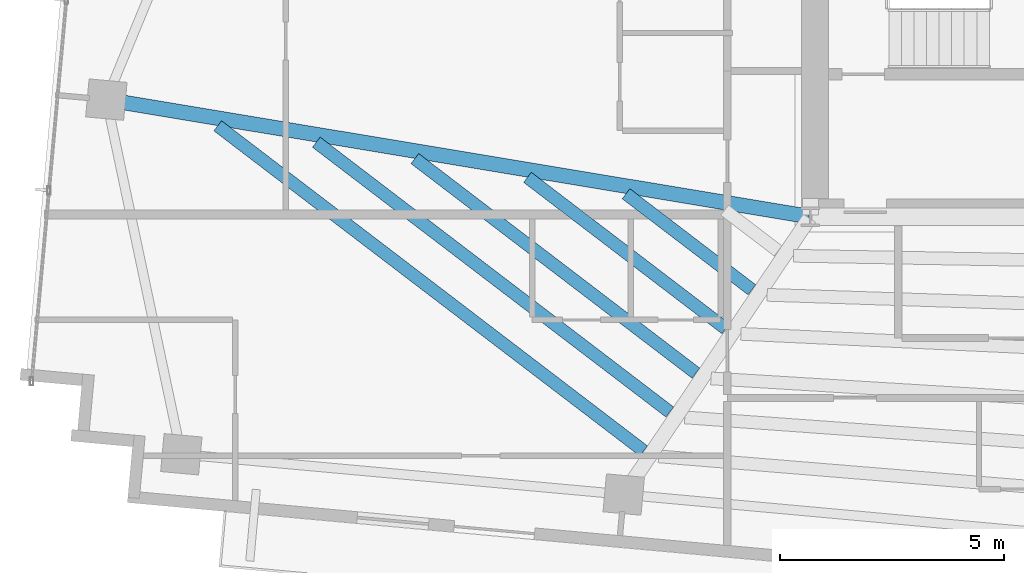
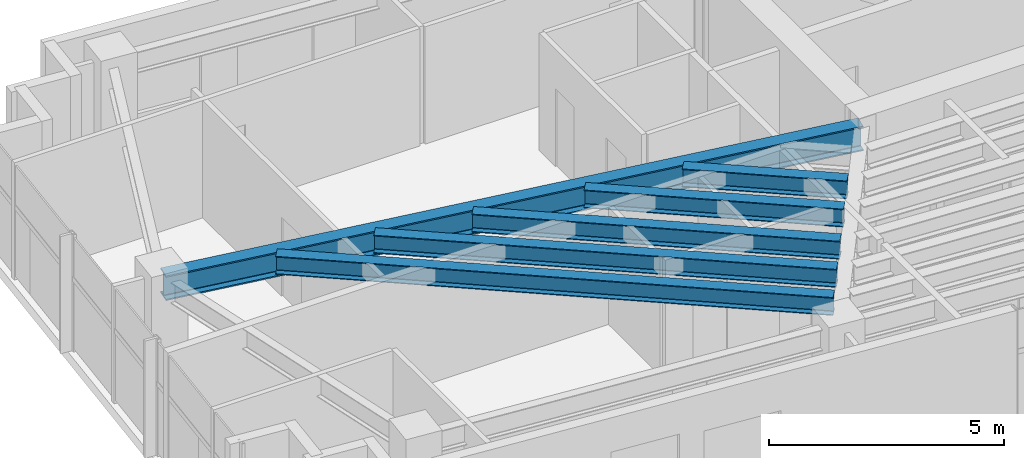
# One storey, part 5 of 22: 6 beams.
"""IFC4 building model written with IfcOpenShell, lengths in metres."""

from ifc_helpers import new_model, si_unit, direction, frame, origin, origin_2d, place, context, subcontext, project, spatial, i_section, extrude, source, transform, mapped, material, material_profile, profile_set, type_object, type_shapes, element, save


model = new_model("IFC4")

# Units and contexts
model_context = context("Model", 3, precision=1e-05, world=origin(), true_north=direction((0.0, 1.0)))
body_context = subcontext(model_context, "Body", "Model", "MODEL_VIEW")
ifc_project = project(units=[si_unit("LENGTHUNIT", "METRE"), si_unit("AREAUNIT", "SQUARE_METRE"), si_unit("VOLUMEUNIT", "CUBIC_METRE"), si_unit("PLANEANGLEUNIT", "RADIAN"), si_unit("MASSUNIT", "GRAM", prefix="KILO")], contexts=[model_context])

# Site, building, storey
site_placement = place(None, origin())
site = spatial("IfcSite", under=ifc_project, at=site_placement, CompositionType="ELEMENT")
building_placement = place(site_placement, origin())
building = spatial("IfcBuilding", under=site, at=building_placement, Name="Astriad Promenade Condominiums", CompositionType="ELEMENT")
storey_placement = place(building_placement, frame((0.0, 0.0, 229.800048828125)))
storey = spatial("IfcBuildingStorey", under=building, at=storey_placement, Name="L66", CompositionType="ELEMENT", Elevation=229.800048828125)

# Beams
ifc_material = material(Name="Steel ASTM A992 Grade 50", Category="steel")
ifc_material_profile_1 = material_profile(ifc_material, i_section(OverallWidth=0.327392578125, OverallDepth=0.640625, WebThickness=0.01904296875, FlangeThickness=0.033935546875, FilletRadius=0.017822265625, at=origin_2d()), Name="W24X176")
ifc_profile_set_1 = profile_set([ifc_material_profile_1], Name="Steel ASTM A992 Grade 50")
beam_type_1 = type_object("IfcBeamType", Name="STEEL FLOOR GIRDER W24X176", PredefinedType="BEAM", material=ifc_profile_set_1)
shared_shape_1 = source(origin(), body_context, "Body", "SweptSolid", [
    extrude(i_section(OverallWidth=0.327392578125, OverallDepth=0.640625, WebThickness=0.01904296875, FlangeThickness=0.033935546875, FilletRadius=0.017822265625, at=origin_2d()), origin(), (0.0, 0.0, 1.0), 15.824462890625),
])
type_shapes(beam_type_1, [shared_shape_1])
beam_1_placement = place(storey_placement, frame((10.750732421875, 20.003662109375, 2.7197265625), z_axis=(0.986439752668, -0.164123777548, 0.0), x_axis=(0.164123777548, 0.986439752668, 0.0)))
element("IfcBeam", 1, at=beam_1_placement, inside=storey, type_object=beam_type_1, Name="Primary Floor Girder PG-WM-L66", PredefinedType="BEAM", context=body_context, shape_type="MappedRepresentation", body=[
    mapped(shared_shape_1, transform((0.0, 0.0, 0.0), scale=1.0)),
])
ifc_material_profile_2 = material_profile(ifc_material, i_section(OverallWidth=0.283203125, OverallDepth=0.47216796875, WebThickness=0.013671875, FlangeThickness=0.022216796875, FilletRadius=0.01513671875, at=origin_2d()), Name="W18X97")
ifc_profile_set_2 = profile_set([ifc_material_profile_2], Name="Steel ASTM A992 Grade 50")
beam_type_2 = type_object("IfcBeamType", Name="STEEL FLOOR JOIST W18X97", PredefinedType="JOIST", material=ifc_profile_set_2)
shared_shape_2 = source(origin(), body_context, "Body", "SweptSolid", [
    extrude(i_section(OverallWidth=0.283203125, OverallDepth=0.47216796875, WebThickness=0.013671875, FlangeThickness=0.022216796875, FilletRadius=0.01513671875, at=origin_2d()), origin(), (0.0, 0.0, 1.0), 11.941162109375),
])
beam_2_placement = place(storey_placement, frame((13.193603515625, 19.426513671875, 2.803955078125), z_axis=(0.794872876153, -0.606775997182, 0.0), x_axis=(0.606775997182, 0.794872876153, 0.0)))
element("IfcBeam", 2, at=beam_2_placement, inside=storey, type_object=beam_type_2, Name="Secondary Composite Floor Joist JW1-1-L66", PredefinedType="JOIST", context=body_context, shape_type="MappedRepresentation", body=[
    mapped(shared_shape_2, transform((0.0, 0.0, 0.0), scale=1.0)),
])
shared_shape_3 = source(origin(), body_context, "Body", "SweptSolid", [
    extrude(i_section(OverallWidth=0.283203125, OverallDepth=0.47216796875, WebThickness=0.013671875, FlangeThickness=0.022216796875, FilletRadius=0.01513671875, at=origin_2d()), origin(), (0.0, 0.0, 1.0), 9.91015625),
])
beam_3_placement = place(storey_placement, frame((15.39013671875, 19.06103515625, 2.803955078125), z_axis=(0.794880580107, -0.606765904916, 0.0), x_axis=(0.606765904916, 0.794880580107, 0.0)))
element("IfcBeam", 3, at=beam_3_placement, inside=storey, type_object=beam_type_2, Name="Secondary Composite Floor Joist JW1-2-L66", PredefinedType="JOIST", context=body_context, shape_type="MappedRepresentation", body=[
    mapped(shared_shape_3, transform((0.0, 0.0, 0.0), scale=1.0)),
])
shared_shape_4 = source(origin(), body_context, "Body", "SweptSolid", [
    extrude(i_section(OverallWidth=0.283203125, OverallDepth=0.47216796875, WebThickness=0.013671875, FlangeThickness=0.022216796875, FilletRadius=0.01513671875, at=origin_2d()), origin(), (0.0, 0.0, 1.0), 7.8798828125),
])
beam_4_placement = place(storey_placement, frame((17.58642578125, 18.69580078125, 2.803955078125), z_axis=(0.794873774806, -0.60677481995, 0.0), x_axis=(0.60677481995, 0.794873774806, 0.0)))
element("IfcBeam", 4, at=beam_4_placement, inside=storey, type_object=beam_type_2, Name="Secondary Composite Floor Joist JW1-3-L66", PredefinedType="JOIST", context=body_context, shape_type="MappedRepresentation", body=[
    mapped(shared_shape_4, transform((0.0, 0.0, 0.0), scale=1.0)),
])
shared_shape_5 = source(origin(), body_context, "Body", "SweptSolid", [
    extrude(i_section(OverallWidth=0.283203125, OverallDepth=0.47216796875, WebThickness=0.013671875, FlangeThickness=0.022216796875, FilletRadius=0.01513671875, at=origin_2d()), origin(), (0.0, 0.0, 1.0), 5.55908203125),
])
beam_5_placement = place(storey_placement, frame((20.0966796875, 18.278076171875, 2.803955078125), z_axis=(0.794874877878, -0.606773374925, 0.0), x_axis=(0.606773374925, 0.794874877878, 0.0)))
element("IfcBeam", 5, at=beam_5_placement, inside=storey, type_object=beam_type_2, Name="Secondary Composite Floor Joist JW1-4-L66", PredefinedType="JOIST", context=body_context, shape_type="MappedRepresentation", body=[
    mapped(shared_shape_5, transform((0.0, 0.0, 0.0), scale=1.0)),
])
shared_shape_6 = source(origin(), body_context, "Body", "SweptSolid", [
    extrude(i_section(OverallWidth=0.283203125, OverallDepth=0.47216796875, WebThickness=0.013671875, FlangeThickness=0.022216796875, FilletRadius=0.01513671875, at=origin_2d()), origin(), (0.0, 0.0, 1.0), 3.5283203125),
])
type_shapes(beam_type_2, [shared_shape_2, shared_shape_3, shared_shape_4, shared_shape_5, shared_shape_6])
beam_6_placement = place(storey_placement, frame((22.293212890625, 17.91259765625, 2.803955078125), z_axis=(0.794864295135, -0.606787238099, 0.0), x_axis=(0.606787238099, 0.794864295135, 0.0)))
element("IfcBeam", 6, at=beam_6_placement, inside=storey, type_object=beam_type_2, Name="Secondary Composite Floor Joist JW1-5-L66", PredefinedType="JOIST", context=body_context, shape_type="MappedRepresentation", body=[
    mapped(shared_shape_6, transform((0.0, 0.0, 0.0), scale=1.0)),
])

save(model, "model.ifc")
